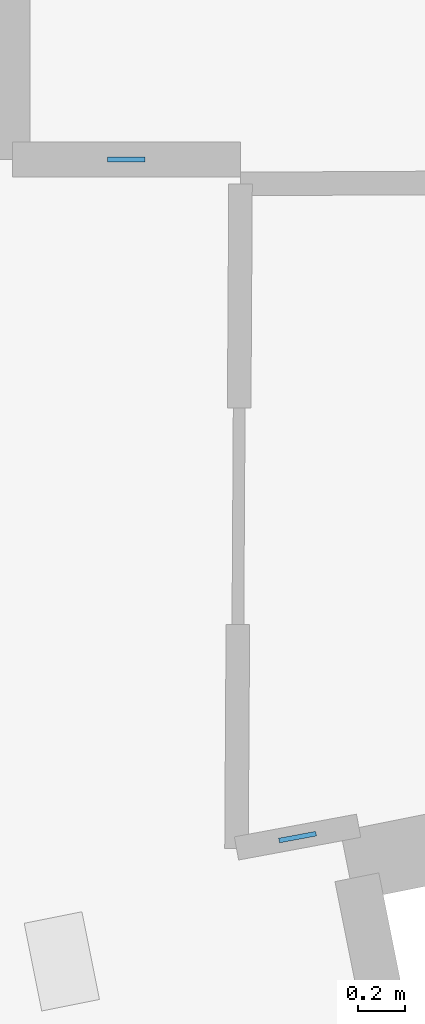
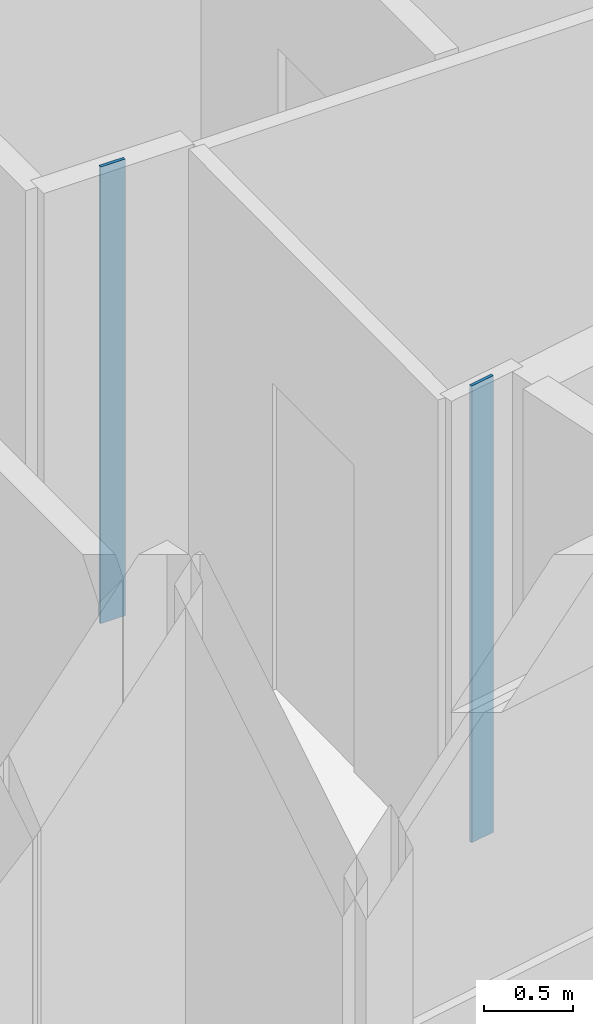
# One storey, part 5 of 15: 2 plates.
"""IFC4 building model written with IfcOpenShell, lengths in metres."""

from ifc_helpers import new_model, si_unit, direction, frame, origin, origin_2d, place, context, subcontext, project, spatial, rectangle, extrude, material, layer, layer_set, type_object, element, save


model = new_model("IFC4")

# Units and contexts
model_context = context("Model", 3, precision=1e-05, world=origin(), true_north=direction((0.0, 1.0)))
body_context = subcontext(model_context, "Body", "Model", "MODEL_VIEW")
ifc_project = project(units=[si_unit("LENGTHUNIT", "METRE"), si_unit("AREAUNIT", "SQUARE_METRE"), si_unit("VOLUMEUNIT", "CUBIC_METRE"), si_unit("PLANEANGLEUNIT", "RADIAN"), si_unit("MASSUNIT", "GRAM", prefix="KILO")], contexts=[model_context])

# Site, building, storey
site_placement = place(None, origin())
site = spatial("IfcSite", under=ifc_project, at=site_placement, CompositionType="ELEMENT")
building_placement = place(site_placement, origin())
building = spatial("IfcBuilding", under=site, at=building_placement, Name="Miruveldt Soraemaru", CompositionType="ELEMENT")
storey_placement = place(building_placement, frame((0.0, 0.0, 39.39990234375)))
storey = spatial("IfcBuildingStorey", under=building, at=storey_placement, Name="L10", CompositionType="ELEMENT", Elevation=39.39990234375)

# Plates
ifc_material = material(Name="Anodised aluminium EN AW-6063 T6", Category="aluminium")
ifc_layer = layer(ifc_material, 0.02001953125, Name="Anodised aluminium EN AW-6063 T6", Category="aluminium")
ifc_layer_set = layer_set([ifc_layer], Name="Anodised aluminium EN AW-6063 T6")
plate_type = type_object("IfcPlateType", Name="PLT-PART-TRIM", PredefinedType="SHEET", material=ifc_layer_set)
for number, where, z_axis, x_axis, name in (
    (1, (56.564697265625, 26.819091796875, 0.0), (0.0, 0.0, 1.0), (1.0, 0.0, 0.0), "L10 Partition Step Corner Trim Plate 082"),
    (2, (57.29248046875, 23.939208984375, 0.0), (0.0, 0.0, 1.0), (0.983159354488, 0.182750331554, 0.0), "L10 Partition Step Corner Trim Plate 001"),
):
    element("IfcPlate", number, at=place(storey_placement, frame(where, z_axis=z_axis, x_axis=x_axis)), inside=storey, type_object=plate_type, Name=name, PredefinedType="SHEET", context=body_context, shape_type="SweptSolid", body=[
        extrude(rectangle(XDim=0.159912109375, YDim=0.02001953125, at=origin_2d()), origin(), (0.0, 0.0, 1.0), 3.125),
    ])

save(model, "model.ifc")
